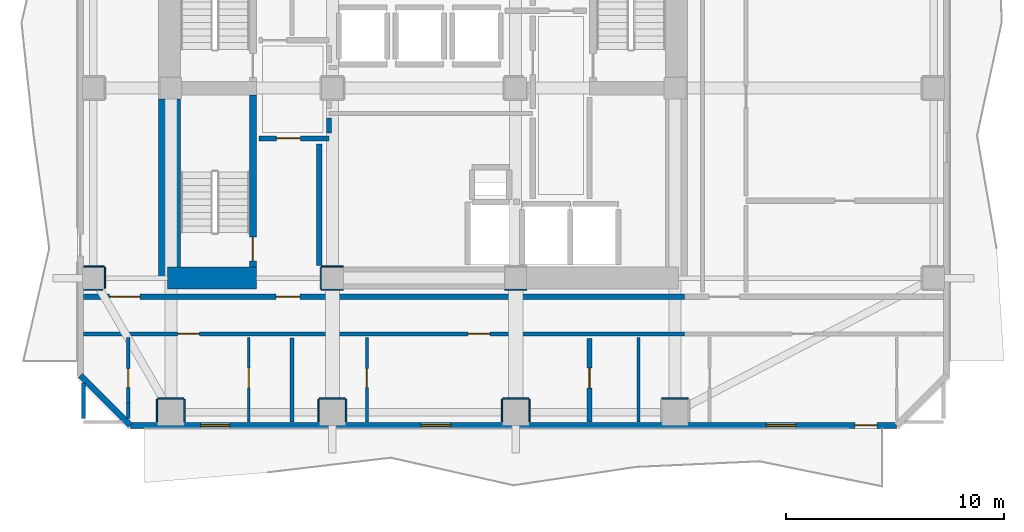
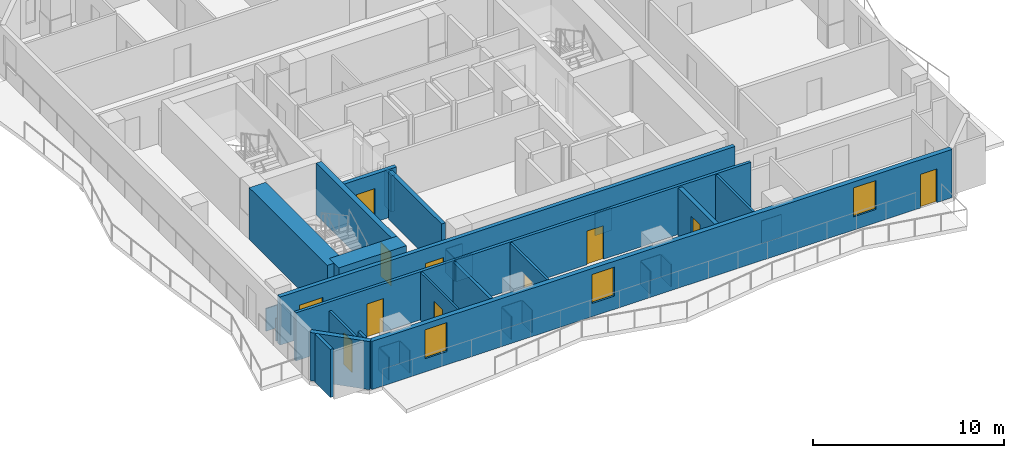
# One storey, part 2 of 9: 35 walls, 11 doors, 3 windows, 14 openings.
"""IFC4 building model written with IfcOpenShell, lengths in metres."""

from ifc_helpers import new_model, si_unit, direction, frame, frame_2d, origin, place, context, subcontext, project, spatial, rectangle, extrude, material, layer, layer_set, type_object, element, fill, save


model = new_model("IFC4")

# Units and contexts
model_context = context("Model", 3, precision=1e-05, world=origin(), true_north=direction((0.0, 1.0)))
body_context = subcontext(model_context, "Body", "Model", "MODEL_VIEW")
ifc_project = project(units=[si_unit("LENGTHUNIT", "METRE"), si_unit("AREAUNIT", "SQUARE_METRE"), si_unit("VOLUMEUNIT", "CUBIC_METRE"), si_unit("PLANEANGLEUNIT", "RADIAN"), si_unit("MASSUNIT", "GRAM", prefix="KILO")], contexts=[model_context])

# Site, building, storey
site_placement = place(None, origin())
site = spatial("IfcSite", under=ifc_project, at=site_placement, CompositionType="ELEMENT")
building_placement = place(site_placement, origin())
building = spatial("IfcBuilding", under=site, at=building_placement, Name="Solanera Arch Residences", CompositionType="ELEMENT")
storey_placement = place(building_placement, frame((0.0, 0.0, 152.56005859375)))
storey = spatial("IfcBuildingStorey", under=building, at=storey_placement, Name="L44", CompositionType="ELEMENT", Elevation=152.56005859375)

# Walls
ifc_material_1 = material(Name="Fire-Rated Gypsum Stud Partition", Category="gypsum")
ifc_layer_1 = layer(ifc_material_1, 0.06005859375)
ifc_layer_set_1 = layer_set([ifc_layer_1], Name="Fire-Rated Gypsum Stud Partition")
wall_type_1 = type_object("IfcWallType", Name="Column Acoustic Furring Wall 60", PredefinedType="PARTITIONING", material=ifc_layer_set_1)
for number, where, z_axis, x_axis, name in (
    (1, (20.300048828125, 21.468017578125, 0.0), (0.0, 0.0, 1.0), (1.0, 0.0, 0.0), "L44 Column Furring 1S"),
    (2, (20.300048828125, 22.531982421875, 0.0), (0.0, 0.0, 1.0), (1.0, 0.0, 0.0), "L44 Column Furring 1N"),
    (3, (20.26806640625, 21.5, 0.0), (0.0, 0.0, 1.0), (0.0, 1.0, 0.0), "L44 Column Furring 1W"),
    (4, (28.699951171875, 21.468017578125, 0.0), (0.0, 0.0, 1.0), (1.0, 0.0, 0.0), "L44 Column Furring 2S"),
):
    element("IfcWall", number, at=place(storey_placement, frame(where, z_axis=z_axis, x_axis=x_axis)), inside=storey, type_object=wall_type_1, Name=name, PredefinedType="PARTITIONING", context=body_context, shape_type="SweptSolid", body=[
        extrude(rectangle(XDim=1.0, YDim=0.06005859375, at=frame_2d((0.5, 0.0))), origin(), (0.0, 0.0, 1.0), 1.449951171875),
    ])
wall_1_placement = place(storey_placement, frame((12.800048828125, 16.48193359375, 0.0), z_axis=(0.0, 0.0, 1.0), x_axis=(1.0, 0.0, 0.0)))
element("IfcWall", 5, at=wall_1_placement, inside=storey, type_object=wall_type_1, Name="L44 Column Furring 9N", PredefinedType="PARTITIONING", context=body_context, shape_type="SweptSolid", body=[
    extrude(rectangle(XDim=1.199951171875, YDim=0.06005859375, at=frame_2d((0.60009765625, 0.0))), origin(), (0.0, 0.0, 1.0), 1.449951171875),
])
for number, where, z_axis, x_axis, name in (
    (6, (12.76806640625, 15.409912109375, 0.0), (0.0, 0.0, 1.0), (0.0, 1.0, 0.0), "L44 Column Furring 9W"),
    (7, (14.031982421875, 15.409912109375, 0.0), (0.0, 0.0, 1.0), (0.0, 1.0, 0.0), "L44 Column Furring 9E"),
):
    element("IfcWall", number, at=place(storey_placement, frame(where, z_axis=z_axis, x_axis=x_axis)), inside=storey, type_object=wall_type_1, Name=name, PredefinedType="PARTITIONING", context=body_context, shape_type="SweptSolid", body=[
        extrude(rectangle(XDim=1.0400390625, YDim=0.06005859375, at=frame_2d((0.52001953125, 0.0))), origin(), (0.0, 0.0, 1.0), 1.449951171875),
    ])
wall_2_placement = place(storey_placement, frame((20.199951171875, 16.48193359375, 0.0), z_axis=(0.0, 0.0, 1.0), x_axis=(1.0, 0.0, 0.0)))
element("IfcWall", 8, at=wall_2_placement, inside=storey, type_object=wall_type_1, Name="L44 Column Furring 11N", PredefinedType="PARTITIONING", context=body_context, shape_type="SweptSolid", body=[
    extrude(rectangle(XDim=1.199951171875, YDim=0.06005859375, at=frame_2d((0.60009765625, 0.0))), origin(), (0.0, 0.0, 1.0), 1.449951171875),
])
for number, where, z_axis, x_axis, name in (
    (9, (20.16796875, 15.409912109375, 0.0), (0.0, 0.0, 1.0), (0.0, 1.0, 0.0), "L44 Column Furring 11W"),
    (10, (21.431884765625, 15.409912109375, 0.0), (0.0, 0.0, 1.0), (0.0, 1.0, 0.0), "L44 Column Furring 11E"),
):
    element("IfcWall", number, at=place(storey_placement, frame(where, z_axis=z_axis, x_axis=x_axis)), inside=storey, type_object=wall_type_1, Name=name, PredefinedType="PARTITIONING", context=body_context, shape_type="SweptSolid", body=[
        extrude(rectangle(XDim=1.0400390625, YDim=0.06005859375, at=frame_2d((0.52001953125, 0.0))), origin(), (0.0, 0.0, 1.0), 1.449951171875),
    ])
wall_3_placement = place(storey_placement, frame((28.60009765625, 16.48193359375, 0.0), z_axis=(0.0, 0.0, 1.0), x_axis=(1.0, 0.0, 0.0)))
element("IfcWall", 11, at=wall_3_placement, inside=storey, type_object=wall_type_1, Name="L44 Column Furring 13N", PredefinedType="PARTITIONING", context=body_context, shape_type="SweptSolid", body=[
    extrude(rectangle(XDim=1.199951171875, YDim=0.06005859375, at=frame_2d((0.60009765625, 0.0))), origin(), (0.0, 0.0, 1.0), 1.449951171875),
])
for number, where, z_axis, x_axis, name in (
    (12, (28.568115234375, 15.409912109375, 0.0), (0.0, 0.0, 1.0), (0.0, 1.0, 0.0), "L44 Column Furring 13W"),
    (13, (29.83203125, 15.409912109375, 0.0), (0.0, 0.0, 1.0), (0.0, 1.0, 0.0), "L44 Column Furring 13E"),
):
    element("IfcWall", number, at=place(storey_placement, frame(where, z_axis=z_axis, x_axis=x_axis)), inside=storey, type_object=wall_type_1, Name=name, PredefinedType="PARTITIONING", context=body_context, shape_type="SweptSolid", body=[
        extrude(rectangle(XDim=1.0400390625, YDim=0.06005859375, at=frame_2d((0.52001953125, 0.0))), origin(), (0.0, 0.0, 1.0), 1.449951171875),
    ])
wall_4_placement = place(storey_placement, frame((35.89990234375, 16.48193359375, 0.0), z_axis=(0.0, 0.0, 1.0), x_axis=(1.0, 0.0, 0.0)))
element("IfcWall", 14, at=wall_4_placement, inside=storey, type_object=wall_type_1, Name="L44 Column Furring 15N", PredefinedType="PARTITIONING", context=body_context, shape_type="SweptSolid", body=[
    extrude(rectangle(XDim=1.2001953125, YDim=0.06005859375, at=frame_2d((0.60009765625, 0.0))), origin(), (0.0, 0.0, 1.0), 1.449951171875),
])
wall_5_placement = place(storey_placement, frame((9.409912109375, 21.468017578125, 0.0), z_axis=(0.0, 0.0, 1.0), x_axis=(1.0, 0.0, 0.0)))
element("IfcWall", 15, at=wall_5_placement, inside=storey, type_object=wall_type_1, Name="L44 Column Furring 17S", PredefinedType="PARTITIONING", context=body_context, shape_type="SweptSolid", body=[
    extrude(rectangle(XDim=0.87109375, YDim=0.06005859375, at=frame_2d((0.435546875, 0.0))), origin(), (0.0, 0.0, 1.0), 1.449951171875),
])
wall_6_placement = place(storey_placement, frame((9.409912109375, 22.531982421875, 0.0), z_axis=(0.0, 0.0, 1.0), x_axis=(1.0, 0.0, 0.0)))
element("IfcWall", 16, at=wall_6_placement, inside=storey, type_object=wall_type_1, Name="L44 Column Furring 17N", PredefinedType="PARTITIONING", context=body_context, shape_type="SweptSolid", body=[
    extrude(rectangle(XDim=0.940185546875, YDim=0.06005859375, at=frame_2d((0.47021484375, 0.0))), origin(), (0.0, 0.0, 1.0), 1.449951171875),
])
wall_7_placement = place(storey_placement, frame((10.382080078125, 21.5439453125, 0.0), z_axis=(0.0, 0.0, 1.0), x_axis=(0.0, 1.0, 0.0)))
element("IfcWall", 17, at=wall_7_placement, inside=storey, type_object=wall_type_1, Name="L44 Column Furring 17E", PredefinedType="PARTITIONING", context=body_context, shape_type="SweptSolid", body=[
    extrude(rectangle(XDim=0.9560546875, YDim=0.06005859375, at=frame_2d((0.47802734375, 0.0))), origin(), (0.0, 0.0, 1.0), 1.449951171875),
])
ifc_material_2 = material(Name="Concrete C55/67 (f'c = 60 MPa)", Category="concrete")
ifc_layer_2 = layer(ifc_material_2, 1.0)
ifc_layer_set_2 = layer_set([ifc_layer_2], Name="Concrete C55/67 (f'c = 60 MPa)")
wall_type_2 = type_object("IfcWallType", Name="Core Shear Wall CW-1000", PredefinedType="SHEAR", material=ifc_layer_set_2)
wall_8_placement = place(storey_placement, frame((13.340087890625, 22.0, 0.0), z_axis=(0.0, 0.0, 1.0), x_axis=(0.0, 1.0, 0.0)))
element("IfcWall", 18, at=wall_8_placement, inside=storey, type_object=wall_type_2, Name="L44 West Core South Shear Wall", PredefinedType="SHEAR", context=body_context, shape_type="SweptSolid", body=[
    extrude(rectangle(XDim=8.195068359375, YDim=1.0, at=frame_2d((4.09765625, 0.0))), origin(), (0.0, 0.0, 1.0), 3.31982421875),
])
wall_9_placement = place(storey_placement, frame((13.239990234375, 22.0, 0.0), z_axis=(0.0, 0.0, 1.0), x_axis=(1.0, 0.0, 0.0)))
element("IfcWall", 19, at=wall_9_placement, inside=storey, type_object=wall_type_2, Name="L44 South-West Core Shear Wall", PredefinedType="SHEAR", context=body_context, shape_type="SweptSolid", body=[
    extrude(rectangle(XDim=4.080078125, YDim=1.0, at=frame_2d((2.0400390625, 0.0))), origin(), (0.0, 0.0, 1.0), 3.31982421875),
])

# Wall, opening, door
ifc_material_3 = material(Name="Concrete C40/50 (f'c = 45 MPa)", Category="concrete")
ifc_layer_3 = layer(ifc_material_3, 0.320068359375)
ifc_layer_set_3 = layer_set([ifc_layer_3], Name="Concrete C40/50 (f'c = 45 MPa)")
wall_type_3 = type_object("IfcWallType", Name="Core Shear Wall CW-320", PredefinedType="SHEAR", material=ifc_layer_set_3)
wall_10_placement = place(storey_placement, frame((17.159912109375, 22.5, 0.0), z_axis=(0.0, 0.0, 1.0), x_axis=(0.0, 1.0, 0.0)))
wall_10 = element("IfcWall", 20, at=wall_10_placement, inside=storey, type_object=wall_type_3, Name="L44 Stair ST-T3 East Shear Wall", PredefinedType="SHEAR", context=body_context, shape_type="SweptSolid", body=[
    extrude(rectangle(XDim=7.89990234375, YDim=0.320068359375, at=frame_2d((3.949951171875, 0.0))), origin(), (0.0, 0.0, 1.0), 3.31982421875),
])
opening_1_placement = place(wall_10_placement, frame((0.2900390625, 0.0, 0.0)))
opening_1 = element("IfcOpeningElement", 21, at=opening_1_placement, cuts=wall_10, Name="Opening DF-01", PredefinedType="OPENING", context=body_context, shape_type="SweptSolid", body=[
    extrude(rectangle(XDim=1.10009765625, YDim=2.14990234375, at=frame_2d((0.550048828125, 1.074951171875))), frame((0.0, 0.169921875, 0.0), z_axis=(0.0, -1.0, 0.0), x_axis=(1.0, 0.0, 0.0)), (0.0, 0.0, 1.0), 0.3401),
])
ifc_material_4 = material(Name="Fire-Rated Architectural Hardwood", Category="wood")
door_type_1 = type_object("IfcDoorType", Name="Stair Exit Fire Door DF-01", OperationType="NOTDEFINED", PredefinedType="DOOR", material=ifc_material_4)
door_1_placement = place(opening_1_placement, origin())
door_1 = element("IfcDoor", 22, at=door_1_placement, inside=storey, type_object=door_type_1, Name="DR-L44-STAIR-ST-T3", OperationType="SINGLE_SWING_RIGHT", OverallHeight=2.14990234375, OverallWidth=1.10009765625, PredefinedType="DOOR", context=body_context, shape_type="SweptSolid", body=[
    extrude(rectangle(XDim=1.10009765625, YDim=2.14990234375, at=frame_2d((0.550048828125, 1.074951171875))), frame((0.0, 0.02490234375, 0.0), z_axis=(0.0, -1.0, 0.0), x_axis=(1.0, 0.0, 0.0)), (0.0, 0.0, 1.0), 0.050048828125),
])
fill(opening_1, door_1)

# Wall, openings, doors
ifc_material_5 = material(Name="Autoclaved Aerated Concrete Blockwork", Category="masonry")
ifc_layer_4 = layer(ifc_material_5, 0.179931640625)
ifc_layer_set_4 = layer_set([ifc_layer_4], Name="Autoclaved Aerated Concrete Blockwork")
wall_type_4 = type_object("IfcWallType", Name="Corridor Fire Partition 180", PredefinedType="PARTITIONING", material=ifc_layer_set_4)
wall_11_placement = place(storey_placement, frame((9.406982421875, 19.449951171875, 0.0), z_axis=(0.0, 0.0, 1.0), x_axis=(1.0, 0.0, 0.0)))
wall_11 = element("IfcWall", 23, at=wall_11_placement, inside=storey, type_object=wall_type_4, Name="L44 Interior Partition H7 1", PredefinedType="PARTITIONING", context=body_context, shape_type="SweptSolid", body=[
    extrude(rectangle(XDim=27.531982421875, YDim=0.179931640625, at=frame_2d((13.76611328125, 0.0))), origin(), (0.0, 0.0, 1.0), 3.079833984375),
])
opening_2_placement = place(wall_11_placement, frame((4.302978515625, 0.0, 0.0)))
opening_2 = element("IfcOpeningElement", 24, at=opening_2_placement, cuts=wall_11, Name="Opening DI-01", PredefinedType="OPENING", context=body_context, shape_type="SweptSolid", body=[
    extrude(rectangle(XDim=1.0, YDim=2.14990234375, at=frame_2d((0.5, 1.074951171875))), frame((0.0, 0.10009765625, 0.0), z_axis=(0.0, -1.0, 0.0), x_axis=(1.0, 0.0, 0.0)), (0.0, 0.0, 1.0), 0.1999),
])
opening_3_placement = place(wall_11_placement, frame((17.617919921875, 0.0, 0.0)))
opening_3 = element("IfcOpeningElement", 25, at=opening_3_placement, cuts=wall_11, Name="Opening DI-01", PredefinedType="OPENING", context=body_context, shape_type="SweptSolid", body=[
    extrude(rectangle(XDim=1.0, YDim=2.14990234375, at=frame_2d((0.5, 1.074951171875))), frame((0.0, 0.10009765625, 0.0), z_axis=(0.0, -1.0, 0.0), x_axis=(1.0, 0.0, 0.0)), (0.0, 0.0, 1.0), 0.1999),
])
ifc_material_6 = material(Name="Fire-Rated Architectural Hardwood", Category="wood")
door_type_2 = type_object("IfcDoorType", Name="Unit Entrance Fire Door DI-01", OperationType="NOTDEFINED", PredefinedType="DOOR", material=ifc_material_6)
door_2_placement = place(opening_2_placement, origin())
door_2 = element("IfcDoor", 26, at=door_2_placement, inside=storey, type_object=door_type_2, Name="DR-L44-IN-016", OperationType="SINGLE_SWING_LEFT", OverallHeight=2.14990234375, OverallWidth=1.0, PredefinedType="DOOR", context=body_context, shape_type="SweptSolid", body=[
    extrude(rectangle(XDim=1.0, YDim=2.14990234375, at=frame_2d((0.5, 1.074951171875))), frame((0.0, 0.02490234375, 0.0), z_axis=(0.0, -1.0, 0.0), x_axis=(1.0, 0.0, 0.0)), (0.0, 0.0, 1.0), 0.050048828125),
])
fill(opening_2, door_2)
door_3_placement = place(opening_3_placement, origin())
door_3 = element("IfcDoor", 27, at=door_3_placement, inside=storey, type_object=door_type_2, Name="DR-L44-IN-019", OperationType="SINGLE_SWING_RIGHT", OverallHeight=2.14990234375, OverallWidth=1.0, PredefinedType="DOOR", context=body_context, shape_type="SweptSolid", body=[
    extrude(rectangle(XDim=1.0, YDim=2.14990234375, at=frame_2d((0.5, 1.074951171875))), frame((0.0, 0.02490234375, 0.0), z_axis=(0.0, -1.0, 0.0), x_axis=(1.0, 0.0, 0.0)), (0.0, 0.0, 1.0), 0.050048828125),
])
fill(opening_3, door_3)

# Walls
wall_12_placement = place(storey_placement, frame((9.39990234375, 15.568115234375, 0.0), z_axis=(0.0, 0.0, 1.0), x_axis=(0.0, 1.0, 0.0)))
element("IfcWall", 28, at=wall_12_placement, inside=storey, type_object=wall_type_4, Name="L44 Interior Partition V7 1", PredefinedType="PARTITIONING", context=body_context, shape_type="SweptSolid", body=[
    extrude(rectangle(XDim=1.626953125, YDim=0.179931640625, at=frame_2d((0.8134765625, 0.0))), origin(), (0.0, 0.0, 1.0), 3.079833984375),
])
wall_13_placement = place(storey_placement, frame((18.949951171875, 15.406982421875, 0.0), z_axis=(0.0, 0.0, 1.0), x_axis=(0.0, 1.0, 0.0)))
element("IfcWall", 29, at=wall_13_placement, inside=storey, type_object=wall_type_4, Name="L44 Interior Partition V9", PredefinedType="PARTITIONING", context=body_context, shape_type="SweptSolid", body=[
    extrude(rectangle(XDim=3.85498046875, YDim=0.179931640625, at=frame_2d((1.927490234375, 0.0))), origin(), (0.0, 0.0, 1.0), 3.079833984375),
])

# Wall, openings, door, windows
ifc_material_7 = material(Name="Precast Concrete C35/45", Category="concrete")
ifc_layer_5 = layer(ifc_material_7, 0.280029296875)
ifc_layer_set_5 = layer_set([ifc_layer_5], Name="Precast Concrete C35/45")
wall_type_5 = type_object("IfcWallType", Name="Exterior Wall Precast Masonry-Frame 280", PredefinedType="STANDARD", material=ifc_layer_set_5)
wall_14_placement = place(storey_placement, frame((46.64501953125, 15.2548828125, 0.0), z_axis=(0.0, 0.0, 1.0), x_axis=(-1.0, 0.0, 0.0)))
wall_14 = element("IfcWall", 30, at=wall_14_placement, inside=storey, type_object=wall_type_5, Name="L44 Tower Exterior Precast Masonry-Frame Wall S", PredefinedType="STANDARD", context=body_context, shape_type="SweptSolid", body=[
    extrude(rectangle(XDim=35.090087890625, YDim=0.280029296875, at=frame_2d((17.544921875, 0.0))), origin(), (0.0, 0.0, 1.0), 3.079833984375),
])
opening_4_placement = place(wall_14_placement, frame((0.904052734375, 0.0, 0.0)))
opening_4 = element("IfcOpeningElement", 31, at=opening_4_placement, cuts=wall_14, Name="Opening DB-01", PredefinedType="OPENING", context=body_context, shape_type="SweptSolid", body=[
    extrude(rectangle(XDim=1.0, YDim=2.14990234375, at=frame_2d((0.5, 1.074951171875))), frame((0.0, 0.14990234375, 0.0), z_axis=(0.0, -1.0, 0.0), x_axis=(1.0, 0.0, 0.0)), (0.0, 0.0, 1.0), 0.3),
])
opening_5_placement = place(wall_14_placement, frame((30.534912109375, 0.0, 0.85009765625)))
opening_5 = element("IfcOpeningElement", 32, at=opening_5_placement, cuts=wall_14, Name="Opening W-10", PredefinedType="OPENING", context=body_context, shape_type="SweptSolid", body=[
    extrude(rectangle(XDim=1.35009765625, YDim=1.85009765625, at=frame_2d((0.675048828125, 0.925048828125))), frame((0.0, 0.14990234375, 0.0), z_axis=(0.0, -1.0, 0.0), x_axis=(1.0, 0.0, 0.0)), (0.0, 0.0, 1.0), 0.3),
])
opening_6_placement = place(wall_14_placement, frame((20.429931640625, 0.0, 0.85009765625)))
opening_6 = element("IfcOpeningElement", 33, at=opening_6_placement, cuts=wall_14, Name="Opening W-10", PredefinedType="OPENING", context=body_context, shape_type="SweptSolid", body=[
    extrude(rectangle(XDim=1.35009765625, YDim=1.85009765625, at=frame_2d((0.675048828125, 0.925048828125))), frame((0.0, 0.14990234375, 0.0), z_axis=(0.0, -1.0, 0.0), x_axis=(1.0, 0.0, 0.0)), (0.0, 0.0, 1.0), 0.3),
])
opening_7_placement = place(wall_14_placement, frame((4.60888671875, 0.0, 0.85009765625)))
opening_7 = element("IfcOpeningElement", 34, at=opening_7_placement, cuts=wall_14, Name="Opening W-10", PredefinedType="OPENING", context=body_context, shape_type="SweptSolid", body=[
    extrude(rectangle(XDim=1.35009765625, YDim=1.85009765625, at=frame_2d((0.675048828125, 0.925048828125))), frame((0.0, 0.14990234375, 0.0), z_axis=(0.0, -1.0, 0.0), x_axis=(1.0, 0.0, 0.0)), (0.0, 0.0, 1.0), 0.3),
])
ifc_material_8 = material(Name="Anodised Aluminium Alloy 6063-T6", Category="aluminium")
door_type_3 = type_object("IfcDoorType", Name="Glazed Balcony Swing Door DB-01", OperationType="NOTDEFINED", PredefinedType="DOOR", material=ifc_material_8)
door_4_placement = place(opening_4_placement, origin())
door_4 = element("IfcDoor", 35, at=door_4_placement, inside=storey, type_object=door_type_3, Name="DR-L44-OUT-01", OperationType="SINGLE_SWING_RIGHT", OverallHeight=2.14990234375, OverallWidth=1.0, PredefinedType="DOOR", context=body_context, shape_type="SweptSolid", body=[
    extrude(rectangle(XDim=1.0, YDim=2.14990234375, at=frame_2d((0.5, 1.074951171875))), frame((0.0, 0.02490234375, 0.0), z_axis=(0.0, -1.0, 0.0), x_axis=(1.0, 0.0, 0.0)), (0.0, 0.0, 1.0), 0.050048828125),
])
fill(opening_4, door_4)
ifc_material_9 = material(Name="Double Glazed Low-E Laminated Glass", Category="glass")
window_type = type_object("IfcWindowType", Name="Punched Window W-10", PartitioningType="DOUBLE_PANEL_VERTICAL", PredefinedType="WINDOW", material=ifc_material_9)
window_1_placement = place(opening_5_placement, origin())
window_1 = element("IfcWindow", 36, at=window_1_placement, inside=storey, type_object=window_type, Name="L44 4401-LIV Punched Window", OverallHeight=1.85009765625, OverallWidth=1.35009765625, PartitioningType="SINGLE_PANEL", PredefinedType="WINDOW", context=body_context, shape_type="SweptSolid", body=[
    extrude(rectangle(XDim=1.35009765625, YDim=1.85009765625, at=frame_2d((0.675048828125, 0.925048828125))), frame((0.0, 0.030029296875, 0.0), z_axis=(0.0, -1.0, 0.0), x_axis=(1.0, 0.0, 0.0)), (0.0, 0.0, 1.0), 0.06005859375),
])
fill(opening_5, window_1)
window_2_placement = place(opening_6_placement, origin())
window_2 = element("IfcWindow", 37, at=window_2_placement, inside=storey, type_object=window_type, Name="L44 4402-LIV Punched Window", OverallHeight=1.85009765625, OverallWidth=1.35009765625, PartitioningType="SINGLE_PANEL", PredefinedType="WINDOW", context=body_context, shape_type="SweptSolid", body=[
    extrude(rectangle(XDim=1.35009765625, YDim=1.85009765625, at=frame_2d((0.675048828125, 0.925048828125))), frame((0.0, 0.030029296875, 0.0), z_axis=(0.0, -1.0, 0.0), x_axis=(1.0, 0.0, 0.0)), (0.0, 0.0, 1.0), 0.06005859375),
])
fill(opening_6, window_2)
window_3_placement = place(opening_7_placement, origin())
window_3 = element("IfcWindow", 38, at=window_3_placement, inside=storey, type_object=window_type, Name="L44 4403-LIV Punched Window", OverallHeight=1.85009765625, OverallWidth=1.35009765625, PartitioningType="SINGLE_PANEL", PredefinedType="WINDOW", context=body_context, shape_type="SweptSolid", body=[
    extrude(rectangle(XDim=1.35009765625, YDim=1.85009765625, at=frame_2d((0.675048828125, 0.925048828125))), frame((0.0, 0.030029296875, 0.0), z_axis=(0.0, -1.0, 0.0), x_axis=(1.0, 0.0, 0.0)), (0.0, 0.0, 1.0), 0.06005859375),
])
fill(opening_7, window_3)

# Wall
wall_15_placement = place(storey_placement, frame((11.554931640625, 15.2548828125, 0.0), z_axis=(0.0, 0.0, 1.0), x_axis=(-0.707106781187, 0.707106781187, 0.0)))
element("IfcWall", 39, at=wall_15_placement, inside=storey, type_object=wall_type_5, Name="L44 Tower Exterior Precast Masonry-Frame Wall CH7", PredefinedType="STANDARD", context=body_context, shape_type="SweptSolid", body=[
    extrude(rectangle(XDim=3.252685546875, YDim=0.280029296875, at=frame_2d((1.62646484375, 0.0))), origin(), (0.0, 0.0, 1.0), 3.079833984375),
])

# Wall, openings, doors
ifc_material_10 = material(Name="Autoclaved Aerated Concrete Blockwork", Category="masonry")
ifc_layer_6 = layer(ifc_material_10, 0.239990234375)
ifc_layer_set_6 = layer_set([ifc_layer_6], Name="Autoclaved Aerated Concrete Blockwork")
wall_type_6 = type_object("IfcWallType", Name="Shaft Wall Fire-Rated 240", PredefinedType="PARTITIONING", material=ifc_layer_set_6)
wall_16_placement = place(storey_placement, frame((9.406982421875, 21.14990234375, 0.0), z_axis=(0.0, 0.0, 1.0), x_axis=(1.0, 0.0, 0.0)))
wall_16 = element("IfcWall", 40, at=wall_16_placement, inside=storey, type_object=wall_type_6, Name="L44 Interior Partition H1 1", PredefinedType="PARTITIONING", context=body_context, shape_type="SweptSolid", body=[
    extrude(rectangle(XDim=27.531982421875, YDim=0.239990234375, at=frame_2d((13.76611328125, 0.0))), origin(), (0.0, 0.0, 1.0), 3.079833984375),
])
opening_8_placement = place(wall_16_placement, frame((8.802978515625, 0.0, 0.0)))
opening_8 = element("IfcOpeningElement", 41, at=opening_8_placement, cuts=wall_16, Name="Opening DF-02", PredefinedType="OPENING", context=body_context, shape_type="SweptSolid", body=[
    extrude(rectangle(XDim=1.10009765625, YDim=2.14990234375, at=frame_2d((0.550048828125, 1.074951171875))), frame((0.0, 0.1298828125, 0.0), z_axis=(0.0, -1.0, 0.0), x_axis=(1.0, 0.0, 0.0)), (0.0, 0.0, 1.0), 0.26),
])
opening_9_placement = place(wall_16_placement, frame((1.19189453125, 0.0, 0.0)))
opening_9 = element("IfcOpeningElement", 42, at=opening_9_placement, cuts=wall_16, Name="Opening DF-03", PredefinedType="OPENING", context=body_context, shape_type="SweptSolid", body=[
    extrude(rectangle(XDim=1.39990234375, YDim=2.14990234375, at=frame_2d((0.699951171875, 1.074951171875))), frame((0.0, 0.1298828125, 0.0), z_axis=(0.0, -1.0, 0.0), x_axis=(1.0, 0.0, 0.0)), (0.0, 0.0, 1.0), 0.26),
])
ifc_material_11 = material(Name="Fire-Rated Architectural Hardwood", Category="wood")
door_type_4 = type_object("IfcDoorType", Name="Corridor Smoke Door DF-03", OperationType="NOTDEFINED", PredefinedType="DOOR", material=ifc_material_11)
door_5_placement = place(opening_9_placement, origin())
door_5 = element("IfcDoor", 43, at=door_5_placement, inside=storey, type_object=door_type_4, Name="DR-L44-IN-010", OperationType="SINGLE_SWING_LEFT", OverallHeight=2.14990234375, OverallWidth=1.39990234375, PredefinedType="DOOR", context=body_context, shape_type="SweptSolid", body=[
    extrude(rectangle(XDim=1.39990234375, YDim=2.14990234375, at=frame_2d((0.699951171875, 1.074951171875))), frame((0.0, 0.02490234375, 0.0), z_axis=(0.0, -1.0, 0.0), x_axis=(1.0, 0.0, 0.0)), (0.0, 0.0, 1.0), 0.050048828125),
])
fill(opening_9, door_5)
ifc_material_12 = material(Name="Fire-Rated Architectural Hardwood", Category="wood")
door_type_5 = type_object("IfcDoorType", Name="Firefighting Lobby Fire Door DF-02", OperationType="NOTDEFINED", PredefinedType="DOOR", material=ifc_material_12)
door_6_placement = place(opening_8_placement, origin())
door_6 = element("IfcDoor", 44, at=door_6_placement, inside=storey, type_object=door_type_5, Name="DR-L44-IN-008", OperationType="SINGLE_SWING_LEFT", OverallHeight=2.14990234375, OverallWidth=1.10009765625, PredefinedType="DOOR", context=body_context, shape_type="SweptSolid", body=[
    extrude(rectangle(XDim=1.10009765625, YDim=2.14990234375, at=frame_2d((0.550048828125, 1.074951171875))), frame((0.0, 0.02490234375, 0.0), z_axis=(0.0, -1.0, 0.0), x_axis=(1.0, 0.0, 0.0)), (0.0, 0.0, 1.0), 0.050048828125),
])
fill(opening_8, door_6)

# Wall, opening, door
wall_17_placement = place(storey_placement, frame((17.449951171875, 28.39990234375, 0.0), z_axis=(0.0, 0.0, 1.0), x_axis=(1.0, 0.0, 0.0)))
wall_17 = element("IfcWall", 45, at=wall_17_placement, inside=storey, type_object=wall_type_6, Name="L44 Interior Partition H4", PredefinedType="PARTITIONING", context=body_context, shape_type="SweptSolid", body=[
    extrude(rectangle(XDim=3.199951171875, YDim=0.239990234375, at=frame_2d((1.60009765625, 0.0))), origin(), (0.0, 0.0, 1.0), 3.079833984375),
])
opening_10_placement = place(wall_17_placement, frame((0.783935546875, 0.0, 0.0)))
opening_10 = element("IfcOpeningElement", 46, at=opening_10_placement, cuts=wall_17, Name="Opening DF-02", PredefinedType="OPENING", context=body_context, shape_type="SweptSolid", body=[
    extrude(rectangle(XDim=1.10009765625, YDim=2.14990234375, at=frame_2d((0.550048828125, 1.074951171875))), frame((0.0, 0.1298828125, 0.0), z_axis=(0.0, -1.0, 0.0), x_axis=(1.0, 0.0, 0.0)), (0.0, 0.0, 1.0), 0.26),
])
door_7_placement = place(opening_10_placement, origin())
door_7 = element("IfcDoor", 47, at=door_7_placement, inside=storey, type_object=door_type_5, Name="DR-L44-IN-004", OperationType="SINGLE_SWING_LEFT", OverallHeight=2.14990234375, OverallWidth=1.10009765625, PredefinedType="DOOR", context=body_context, shape_type="SweptSolid", body=[
    extrude(rectangle(XDim=1.10009765625, YDim=2.14990234375, at=frame_2d((0.550048828125, 1.074951171875))), frame((0.0, 0.02490234375, 0.0), z_axis=(0.0, -1.0, 0.0), x_axis=(1.0, 0.0, 0.0)), (0.0, 0.0, 1.0), 0.050048828125),
])
fill(opening_10, door_7)

# Walls
wall_18_placement = place(storey_placement, frame((20.199951171875, 22.5859375, 0.0), z_axis=(0.0, 0.0, 1.0), x_axis=(0.0, 1.0, 0.0)))
element("IfcWall", 48, at=wall_18_placement, inside=storey, type_object=wall_type_6, Name="L44 Interior Partition V2", PredefinedType="PARTITIONING", context=body_context, shape_type="SweptSolid", body=[
    extrude(rectangle(XDim=5.566162109375, YDim=0.239990234375, at=frame_2d((2.783203125, 0.0))), origin(), (0.0, 0.0, 1.0), 3.079833984375),
])
wall_19_placement = place(storey_placement, frame((20.64990234375, 28.64794921875, 0.0), z_axis=(0.0, 0.0, 1.0), x_axis=(0.0, 1.0, 0.0)))
element("IfcWall", 49, at=wall_19_placement, inside=storey, type_object=wall_type_6, Name="L44 Interior Partition V3 1", PredefinedType="PARTITIONING", context=body_context, shape_type="SweptSolid", body=[
    extrude(rectangle(XDim=0.68408203125, YDim=0.239990234375, at=frame_2d((0.342041015625, 0.0))), origin(), (0.0, 0.0, 1.0), 2.31494140625),
])

# Wall, opening, door
wall_20_placement = place(storey_placement, frame((32.580078125, 15.406982421875, 0.0), z_axis=(0.0, 0.0, 1.0), x_axis=(0.0, 1.0, 0.0)))
wall_20 = element("IfcWall", 50, at=wall_20_placement, inside=storey, type_object=wall_type_6, Name="L44 Interior Partition V5", PredefinedType="PARTITIONING", context=body_context, shape_type="SweptSolid", body=[
    extrude(rectangle(XDim=3.824951171875, YDim=0.239990234375, at=frame_2d((1.91259765625, 0.0))), origin(), (0.0, 0.0, 1.0), 3.079833984375),
])
opening_11_placement = place(wall_20_placement, frame((1.568115234375, 0.0, 0.0)))
opening_11 = element("IfcOpeningElement", 51, at=opening_11_placement, cuts=wall_20, Name="Opening DI-02", PredefinedType="OPENING", context=body_context, shape_type="SweptSolid", body=[
    extrude(rectangle(XDim=0.89990234375, YDim=2.10009765625, at=frame_2d((0.449951171875, 1.050048828125))), frame((0.0, 0.1298828125, 0.0), z_axis=(0.0, -1.0, 0.0), x_axis=(1.0, 0.0, 0.0)), (0.0, 0.0, 1.0), 0.26),
])
ifc_material_13 = material(Name="Fire-Rated Architectural Hardwood", Category="wood")
door_type_6 = type_object("IfcDoorType", Name="Suite Room Swing Door DI-02", OperationType="NOTDEFINED", PredefinedType="DOOR", material=ifc_material_13)
door_8_placement = place(opening_11_placement, origin())
door_8 = element("IfcDoor", 52, at=door_8_placement, inside=storey, type_object=door_type_6, Name="DR-L44-IN-021", OperationType="SINGLE_SWING_RIGHT", OverallHeight=2.10009765625, OverallWidth=0.89990234375, PredefinedType="DOOR", context=body_context, shape_type="SweptSolid", body=[
    extrude(rectangle(XDim=0.89990234375, YDim=2.10009765625, at=frame_2d((0.449951171875, 1.050048828125))), frame((0.0, 0.02490234375, 0.0), z_axis=(0.0, -1.0, 0.0), x_axis=(1.0, 0.0, 0.0)), (0.0, 0.0, 1.0), 0.050048828125),
])
fill(opening_11, door_8)

ifc_material_14 = material(Name="Fire-Rated Gypsum Stud Partition", Category="gypsum")
ifc_layer_7 = layer(ifc_material_14, 0.1201171875)
ifc_layer_set_7 = layer_set([ifc_layer_7], Name="Fire-Rated Gypsum Stud Partition")
wall_type_7 = type_object("IfcWallType", Name="Unit Drywall Partition 120", PredefinedType="PARTITIONING", material=ifc_layer_set_7)
wall_21_placement = place(storey_placement, frame((16.969970703125, 15.406982421875, 0.0), z_axis=(0.0, 0.0, 1.0), x_axis=(0.0, 1.0, 0.0)))
wall_21 = element("IfcWall", 53, at=wall_21_placement, inside=storey, type_object=wall_type_7, Name="L44 Interior Partition V23", PredefinedType="PARTITIONING", context=body_context, shape_type="SweptSolid", body=[
    extrude(rectangle(XDim=3.885009765625, YDim=0.1201171875, at=frame_2d((1.9423828125, 0.0))), origin(), (0.0, 0.0, 1.0), 3.079833984375),
])
opening_12_placement = place(wall_21_placement, frame((1.568115234375, 0.0, 0.0)))
opening_12 = element("IfcOpeningElement", 54, at=opening_12_placement, cuts=wall_21, Name="Opening DI-02", PredefinedType="OPENING", context=body_context, shape_type="SweptSolid", body=[
    extrude(rectangle(XDim=0.89990234375, YDim=2.10009765625, at=frame_2d((0.449951171875, 1.050048828125))), frame((0.0, 0.070068359375, 0.0), z_axis=(0.0, -1.0, 0.0), x_axis=(1.0, 0.0, 0.0)), (0.0, 0.0, 1.0), 0.1401),
])
door_9_placement = place(opening_12_placement, origin())
door_9 = element("IfcDoor", 55, at=door_9_placement, inside=storey, type_object=door_type_6, Name="DR-L44-IN-018", OperationType="SINGLE_SWING_LEFT", OverallHeight=2.10009765625, OverallWidth=0.89990234375, PredefinedType="DOOR", context=body_context, shape_type="SweptSolid", body=[
    extrude(rectangle(XDim=0.89990234375, YDim=2.10009765625, at=frame_2d((0.449951171875, 1.050048828125))), frame((0.0, 0.02490234375, 0.0), z_axis=(0.0, -1.0, 0.0), x_axis=(1.0, 0.0, 0.0)), (0.0, 0.0, 1.0), 0.050048828125),
])
fill(opening_12, door_9)

# Wall
ifc_material_15 = material(Name="Autoclaved Aerated Concrete Blockwork", Category="masonry")
ifc_layer_8 = layer(ifc_material_15, 0.139892578125)
ifc_layer_set_8 = layer_set([ifc_layer_8], Name="Autoclaved Aerated Concrete Blockwork")
wall_type_8 = type_object("IfcWallType", Name="Wet-Room Partition 140", PredefinedType="PARTITIONING", material=ifc_layer_set_8)
wall_22_placement = place(storey_placement, frame((11.449951171875, 15.574951171875, 0.0), z_axis=(0.0, 0.0, 1.0), x_axis=(0.0, 1.0, 0.0)))
element("IfcWall", 56, at=wall_22_placement, inside=storey, type_object=wall_type_8, Name="L44 Interior Partition V15 1", PredefinedType="PARTITIONING", context=body_context, shape_type="SweptSolid", body=[
    extrude(rectangle(XDim=0.703125, YDim=0.139892578125, at=frame_2d((0.3515625, 0.0))), origin(), (0.0, 0.0, 1.0), 3.079833984375),
])

# Wall, opening, door
wall_23_placement = place(storey_placement, frame((11.449951171875, 16.278076171875, 0.0), z_axis=(0.0, 0.0, 1.0), x_axis=(0.0, 1.0, 0.0)))
wall_23 = element("IfcWall", 57, at=wall_23_placement, inside=storey, type_object=wall_type_8, Name="L44 Interior Partition V15 2", PredefinedType="PARTITIONING", context=body_context, shape_type="SweptSolid", body=[
    extrude(rectangle(XDim=3.00390625, YDim=0.139892578125, at=frame_2d((1.501953125, 0.0))), origin(), (0.0, 0.0, 1.0), 2.56494140625),
])
opening_13_placement = place(wall_23_placement, frame((0.717041015625, 0.0, 0.0)))
opening_13 = element("IfcOpeningElement", 58, at=opening_13_placement, cuts=wall_23, Name="Opening DI-05", PredefinedType="OPENING", context=body_context, shape_type="SweptSolid", body=[
    extrude(rectangle(XDim=0.860107421875, YDim=2.02001953125, at=frame_2d((0.43017578125, 1.010009765625))), frame((0.0, 0.079833984375, 0.0), z_axis=(0.0, -1.0, 0.0), x_axis=(1.0, 0.0, 0.0)), (0.0, 0.0, 1.0), 0.1599),
])
ifc_material_16 = material(Name="Fire-Rated Architectural Hardwood", Category="wood")
door_type_7 = type_object("IfcDoorType", Name="Bathroom Swing Door DI-05", OperationType="NOTDEFINED", PredefinedType="DOOR", material=ifc_material_16)
door_10_placement = place(opening_13_placement, origin())
door_10 = element("IfcDoor", 59, at=door_10_placement, inside=storey, type_object=door_type_7, Name="DR-L44-IN-017", OperationType="SINGLE_SWING_RIGHT", OverallHeight=2.02001953125, OverallWidth=0.860107421875, PredefinedType="DOOR", context=body_context, shape_type="SweptSolid", body=[
    extrude(rectangle(XDim=0.860107421875, YDim=2.02001953125, at=frame_2d((0.43017578125, 1.010009765625))), frame((0.0, 0.02490234375, 0.0), z_axis=(0.0, -1.0, 0.0), x_axis=(1.0, 0.0, 0.0)), (0.0, 0.0, 1.0), 0.050048828125),
])
fill(opening_13, door_10)

wall_24_placement = place(storey_placement, frame((22.3798828125, 15.406982421875, 0.0), z_axis=(0.0, 0.0, 1.0), x_axis=(0.0, 1.0, 0.0)))
wall_24 = element("IfcWall", 60, at=wall_24_placement, inside=storey, type_object=wall_type_8, Name="L44 Interior Partition V17", PredefinedType="PARTITIONING", context=body_context, shape_type="SweptSolid", body=[
    extrude(rectangle(XDim=3.875, YDim=0.139892578125, at=frame_2d((1.9375, 0.0))), origin(), (0.0, 0.0, 1.0), 3.079833984375),
])
opening_14_placement = place(wall_24_placement, frame((1.587890625, 0.0, 0.0)))
opening_14 = element("IfcOpeningElement", 61, at=opening_14_placement, cuts=wall_24, Name="Opening DI-05", PredefinedType="OPENING", context=body_context, shape_type="SweptSolid", body=[
    extrude(rectangle(XDim=0.860107421875, YDim=2.02001953125, at=frame_2d((0.43017578125, 1.010009765625))), frame((0.0, 0.079833984375, 0.0), z_axis=(0.0, -1.0, 0.0), x_axis=(1.0, 0.0, 0.0)), (0.0, 0.0, 1.0), 0.1599),
])
door_11_placement = place(opening_14_placement, origin())
door_11 = element("IfcDoor", 62, at=door_11_placement, inside=storey, type_object=door_type_7, Name="DR-L44-IN-020", OperationType="SINGLE_SWING_LEFT", OverallHeight=2.02001953125, OverallWidth=0.860107421875, PredefinedType="DOOR", context=body_context, shape_type="SweptSolid", body=[
    extrude(rectangle(XDim=0.860107421875, YDim=2.02001953125, at=frame_2d((0.43017578125, 1.010009765625))), frame((0.0, 0.02490234375, 0.0), z_axis=(0.0, -1.0, 0.0), x_axis=(1.0, 0.0, 0.0)), (0.0, 0.0, 1.0), 0.050048828125),
])
fill(opening_14, door_11)

# Wall
wall_25_placement = place(storey_placement, frame((34.820068359375, 15.406982421875, 0.0), z_axis=(0.0, 0.0, 1.0), x_axis=(0.0, 1.0, 0.0)))
element("IfcWall", 63, at=wall_25_placement, inside=storey, type_object=wall_type_8, Name="L44 Interior Partition V19", PredefinedType="PARTITIONING", context=body_context, shape_type="SweptSolid", body=[
    extrude(rectangle(XDim=3.875, YDim=0.139892578125, at=frame_2d((1.9375, 0.0))), origin(), (0.0, 0.0, 1.0), 3.079833984375),
])

save(model, "model.ifc")
